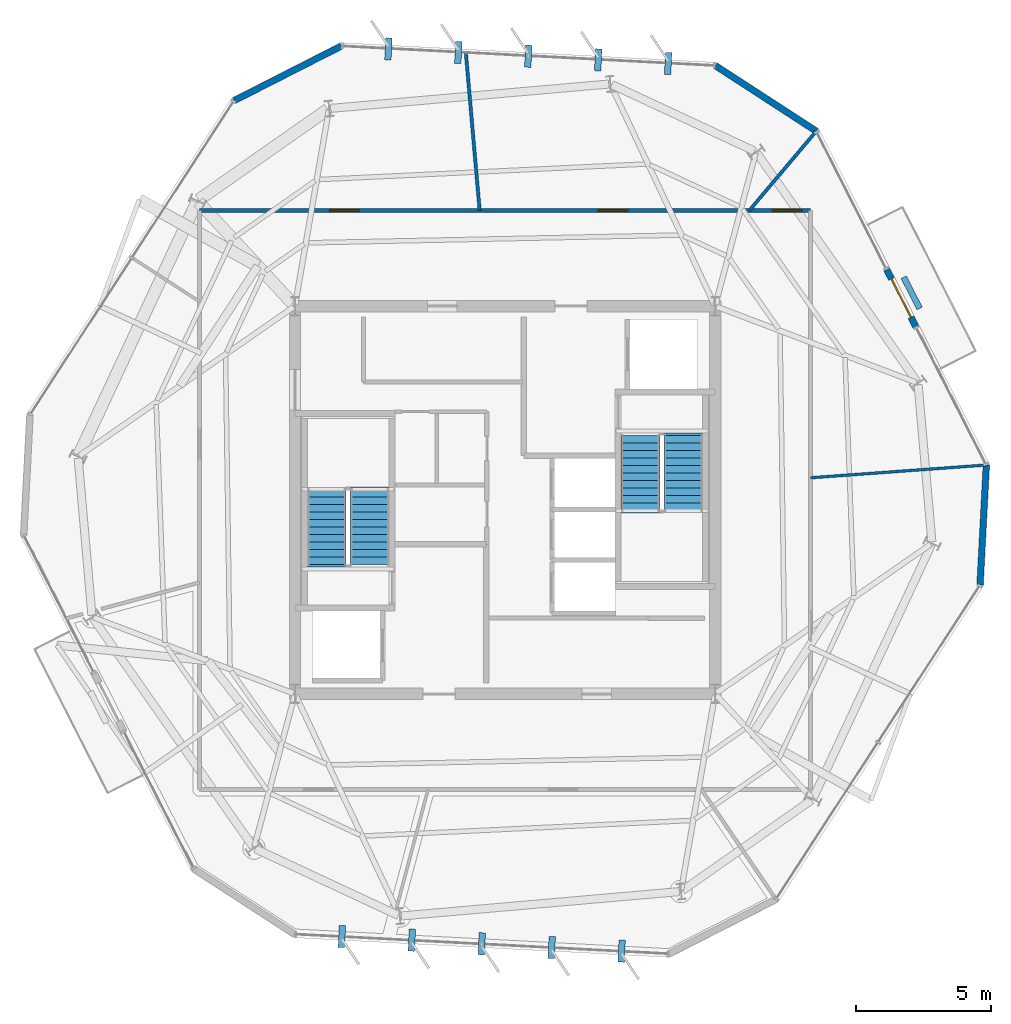
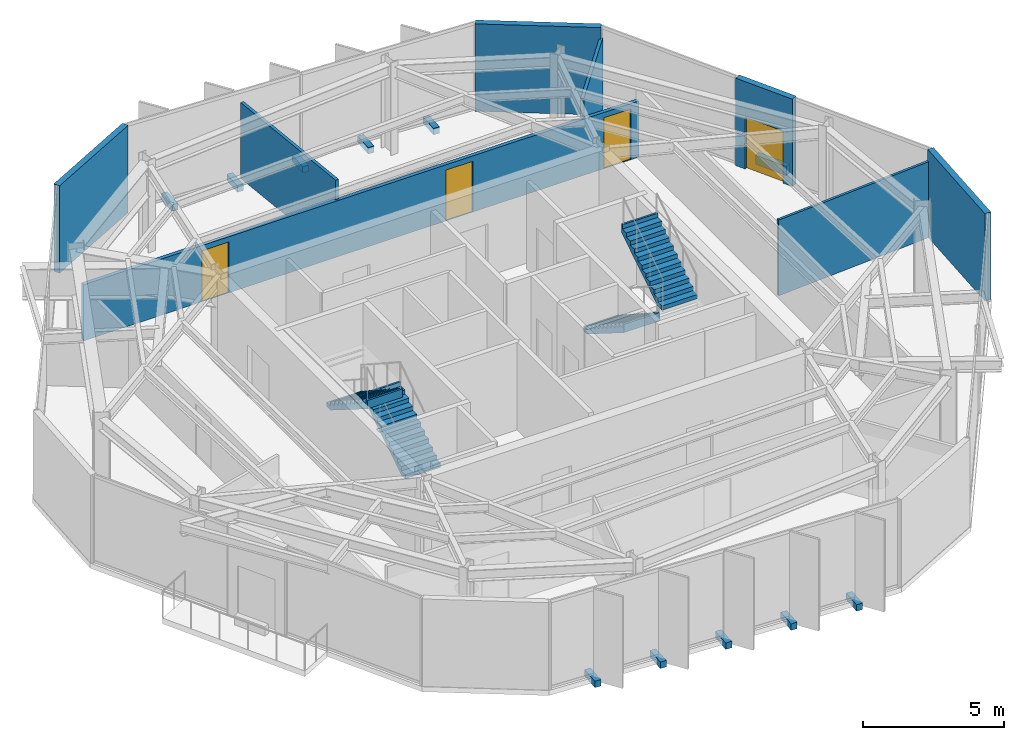
# One storey, part 9 of 11: 10 discrete accessories, 9 walls, 4 doors, 4 stair flights, 4 openings, 2 elements without a shape of their own.
"""IFC4 building model written with IfcOpenShell, lengths in metres."""

import ifcopenshell
import ifcopenshell.guid

model = None  # the IFC model being written
_history = None  # IfcOwnerHistory: only IFC2X3 demands one
_inside = {}  # id of a spatial element -> (the spatial element, [elements in it])
_under = {}  # id of a project, library or spatial element -> (it, [spatial elements below it])
_declared = {}  # id of a project -> (the project, [libraries it declares])
_typed = {}  # id of a type object -> (the type object, [elements of that type])
_made_of = {}  # id of a material, layer set ... -> (it, [elements and type objects made of it])


def new_model(schema):
    """Start an empty IFC model of exactly this schema.

    Asked for "IFC4X3", IfcOpenShell would pick the latest addendum, in which some entities
    have other attributes; the version numbers below select the first issue.
    IFC2X3 requires an IfcOwnerHistory on every rooted entity: one is made here for all.
    """
    global model, _history
    if schema == "IFC4X3":
        model = ifcopenshell.file(schema_version=(4, 3, 0, 0))
    else:
        model = ifcopenshell.file(schema=schema)
    _inside.clear()
    _under.clear()
    _declared.clear()
    _typed.clear()
    _made_of.clear()
    _history = None
    if model.schema == "IFC2X3":
        org = make("IfcOrganization", Name="unknown")
        user = make(
            "IfcPersonAndOrganization",
            ThePerson=make("IfcPerson", FamilyName="unknown"),
            TheOrganization=org,
        )
        app = make(
            "IfcApplication",
            ApplicationDeveloper=org,
            Version="unknown",
            ApplicationFullName="unknown",
            ApplicationIdentifier="unknown",
        )
        _history = make(
            "IfcOwnerHistory",
            OwningUser=user,
            OwningApplication=app,
            ChangeAction="ADDED",
            CreationDate=0,
        )
    return model


def make(cls, **values):
    """One entity of the class cls with the attributes given. An attribute that is None is left unset."""
    return model.create_entity(
        cls, **{name: value for name, value in values.items() if value is not None}
    )


def rooted(cls, **values):
    """An entity with a GlobalId (a new one), such as an element, a storey or a relation."""
    return make(cls, GlobalId=ifcopenshell.guid.new(), OwnerHistory=_history, **values)


def si_unit(unit_type, name, prefix=None):
    """IfcSIUnit, for example si_unit("LENGTHUNIT", "METRE", prefix="MILLI")."""
    return make("IfcSIUnit", UnitType=unit_type, Prefix=prefix, Name=name)


def assignment(units):
    """IfcUnitAssignment: the units of a project."""
    return None if units is None else make("IfcUnitAssignment", Units=units)


def point(xyz):
    """IfcCartesianPoint."""
    return None if xyz is None else make("IfcCartesianPoint", Coordinates=xyz)


def direction(xyz):
    """IfcDirection."""
    return None if xyz is None else make("IfcDirection", DirectionRatios=xyz)


def frame(location, z_axis=None, x_axis=None):
    """IfcAxis2Placement3D, a coordinate frame: its origin and axes. An axis left out is left unset."""
    return make(
        "IfcAxis2Placement3D",
        Location=point(location),
        Axis=direction(z_axis),
        RefDirection=direction(x_axis),
    )


def frame_2d(location, x_axis=None):
    """IfcAxis2Placement2D, a coordinate frame in the plane: its origin and x axis."""
    return make(
        "IfcAxis2Placement2D", Location=point(location), RefDirection=direction(x_axis)
    )


def origin():
    """The frame at (0, 0, 0) with its axes left unset."""
    return frame((0.0, 0.0, 0.0))


def origin_2d():
    """The frame at (0, 0) in the plane with its x axis left unset."""
    return frame_2d((0.0, 0.0))


def place(relative_to, where):
    """IfcLocalPlacement: puts the frame where relative to a parent placement (None: the world)."""
    return make(
        "IfcLocalPlacement", PlacementRelTo=relative_to, RelativePlacement=where
    )


def context(
    kind, dimensions, precision=None, world=None, true_north=None, identifier=None
):
    """IfcGeometricRepresentationContext, for example the 3D "Model" context."""
    return make(
        "IfcGeometricRepresentationContext",
        ContextIdentifier=identifier,
        ContextType=kind,
        CoordinateSpaceDimension=dimensions,
        Precision=precision,
        WorldCoordinateSystem=world,
        TrueNorth=true_north,
    )


def subcontext(parent, identifier, kind, view, scale=None):
    """IfcGeometricRepresentationSubContext, for example "Body" below "Model"."""
    return make(
        "IfcGeometricRepresentationSubContext",
        ContextIdentifier=identifier,
        ContextType=kind,
        ParentContext=parent,
        TargetScale=scale,
        TargetView=view,
    )


def project(units=None, contexts=None):
    """IfcProject with its units and contexts."""
    return rooted(
        "IfcProject",
        Name="project",
        RepresentationContexts=contexts,
        UnitsInContext=assignment(units),
    )


def spatial(cls, under=None, at=None, **own):
    """A site, building, storey or space (cls), placed at a placement, below another one or the project."""
    s = rooted(cls, ObjectPlacement=at, **own)
    if under is not None:
        _under.setdefault(under.id(), (under, []))[1].append(s)
    return s


def polyline(points):
    """IfcPolyline through the points."""
    return make("IfcPolyline", Points=[point(p) for p in points])


def profile(cls, at=None, kind="AREA", **sizes):
    """A parametric profile (cls). Its sizes go by their IFC names, for example OverallWidth=200.0."""
    return make(cls, ProfileType=kind, Position=at, **sizes)


def rectangle(**sizes):
    """IfcRectangleProfileDef."""
    return profile("IfcRectangleProfileDef", **sizes)


def outline(outer, holes=None, kind="AREA"):
    """IfcArbitraryClosedProfileDef: a profile drawn as a closed curve; with holes, ...WithVoids."""
    if holes is None:
        return make("IfcArbitraryClosedProfileDef", ProfileType=kind, OuterCurve=outer)
    return make(
        "IfcArbitraryProfileDefWithVoids",
        ProfileType=kind,
        OuterCurve=outer,
        InnerCurves=holes,
    )


def extrude(swept, where, along, depth):
    """IfcExtrudedAreaSolid: the profile swept, set in the frame where, extruded along a direction by depth."""
    return make(
        "IfcExtrudedAreaSolid",
        SweptArea=swept,
        Position=where,
        ExtrudedDirection=direction(along),
        Depth=depth,
    )


def shape(context_of_items, identifier, shape_type, items):
    """IfcShapeRepresentation: the items that make up one representation, for example the "Body"."""
    return make(
        "IfcShapeRepresentation",
        ContextOfItems=context_of_items,
        RepresentationIdentifier=identifier,
        RepresentationType=shape_type,
        Items=items,
    )


def material(Name=None, Category=None):
    """IfcMaterial."""
    return make("IfcMaterial", Name=Name, Category=Category)


def layer(
    of_material, thickness, ventilated=None, Name=None, Category=None, Priority=None
):
    """IfcMaterialLayer: one layer of a wall or slab, of a material (None: an air gap)."""
    return make(
        "IfcMaterialLayer",
        Material=of_material,
        LayerThickness=thickness,
        IsVentilated=ventilated,
        Name=Name,
        Category=Category,
        Priority=Priority,
    )


def layer_set(layers, Name=None):
    """IfcMaterialLayerSet."""
    return make("IfcMaterialLayerSet", MaterialLayers=layers, LayerSetName=Name)


def made_of(thing, what):
    """Note that an element or type object is made of a material, layer set ...; save() writes the relation."""
    if what is not None:
        _made_of.setdefault(what.id(), (what, []))[1].append(thing)
    return thing


def type_object(cls, material=None, **own):
    """A type object (cls), such as IfcWallType, which elements share."""
    return made_of(rooted(cls, **own), material)


def element(
    cls,
    number,
    at=None,
    inside=None,
    cuts=None,
    type_object=None,
    material=None,
    context=None,
    identifier="Body",
    shape_type=None,
    held_by="IfcProductDefinitionShape",
    body=None,
    shapes=None,
    **own,
):
    """One element of the class cls, such as IfcWall. Its Tag is "e" and its number.

    at: its placement. inside: the storey or other place that contains it. cuts: it is an
    opening in that element (IfcRelVoidsElement). A single representation is given by context,
    identifier, shape_type and body (its items); several are given by shapes. held_by: the class
    of the entity that holds the representations. save() writes the other relations.
    """
    e = rooted(cls, Tag="e%d" % number, ObjectPlacement=at, **own)
    if body is not None:
        shapes = [shape(context, identifier, shape_type, body)]
    if shapes is not None:
        e.Representation = make(held_by, Representations=shapes)
    if inside is not None:
        _inside.setdefault(inside.id(), (inside, []))[1].append(e)
    if cuts is not None:
        rooted(
            "IfcRelVoidsElement", RelatingBuildingElement=cuts, RelatedOpeningElement=e
        )
    if type_object is not None:
        _typed.setdefault(type_object.id(), (type_object, []))[1].append(e)
    return made_of(e, material)


def fill(opening, filler):
    """IfcRelFillsElement: the door or window that sits in an opening."""
    return rooted(
        "IfcRelFillsElement",
        RelatingOpeningElement=opening,
        RelatedBuildingElement=filler,
    )


def aggregate(whole, parts):
    """IfcRelAggregates: a whole, such as a stair, and the parts it consists of."""
    return rooted("IfcRelAggregates", RelatingObject=whole, RelatedObjects=parts)


def save(model, path):
    """Write the relations noted so far, then the file.

    IfcRelAggregates (storeys below a building ...), IfcRelContainedInSpatialStructure (elements
    in a storey), IfcRelDefinesByType, IfcRelAssociatesMaterial and IfcRelDeclares: one each for
    every whole, place, type object, material and project.
    """
    for whole, parts in _under.values():
        aggregate(whole, parts)
    for where, things in _inside.values():
        rooted(
            "IfcRelContainedInSpatialStructure",
            RelatedElements=things,
            RelatingStructure=where,
        )
    for kind, things in _typed.values():
        rooted("IfcRelDefinesByType", RelatedObjects=things, RelatingType=kind)
    for what, things in _made_of.values():
        rooted("IfcRelAssociatesMaterial", RelatedObjects=things, RelatingMaterial=what)
    for by, libraries in _declared.values():
        rooted("IfcRelDeclares", RelatingContext=by, RelatedDefinitions=libraries)
    model.write(path)


model = new_model("IFC4")

# Units and contexts
model_context = context("Model", 3, precision=1e-05, world=origin(), true_north=direction((0.0, 1.0)))
body_context = subcontext(model_context, "Body", "Model", "MODEL_VIEW")
ifc_project = project(units=[si_unit("LENGTHUNIT", "METRE"), si_unit("AREAUNIT", "SQUARE_METRE"), si_unit("VOLUMEUNIT", "CUBIC_METRE"), si_unit("PLANEANGLEUNIT", "RADIAN"), si_unit("MASSUNIT", "GRAM", prefix="KILO")], contexts=[model_context])

# Site, building, storey
site_placement = place(None, origin())
site = spatial("IfcSite", under=ifc_project, at=site_placement, CompositionType="ELEMENT")
building_placement = place(site_placement, origin())
building = spatial("IfcBuilding", under=site, at=building_placement, Name="Kranzbogen Civic Tower", CompositionType="ELEMENT")
storey_placement = place(building_placement, frame((0.0, 0.0, 254.199951171875)))
storey = spatial("IfcBuildingStorey", under=building, at=storey_placement, Name="L61", CompositionType="ELEMENT", Elevation=254.199951171875)

# Wall, openings, doors
ifc_material_1 = material(Name="Double-Stud Acoustic Gypsum Partition")
ifc_layer_1 = layer(ifc_material_1, 0.14990234375, Name="Double-Stud Acoustic Gypsum Partition")
ifc_layer_set_1 = layer_set([ifc_layer_1], Name="Double-Stud Acoustic Gypsum Partition")
wall_type_1 = type_object("IfcWallType", Name="Acoustic Corridor and Clinical Partition 150 mm", PredefinedType="PARTITIONING", material=ifc_layer_set_1)
wall_1_placement = place(storey_placement, frame((13.64990234375, 35.75, 0.0), z_axis=(0.0, 0.0, 1.0), x_axis=(1.0, 0.0, 0.0)))
wall_1 = element("IfcWall", 1, at=wall_1_placement, inside=storey, type_object=wall_type_1, Name="L61 corridor partition 01", PredefinedType="PARTITIONING", context=body_context, shape_type="SweptSolid", body=[
    extrude(rectangle(XDim=22.7001953125, YDim=0.14990234375, at=frame_2d((11.35009765625, 0.0))), origin(), (0.0, 0.0, 1.0), 2.429931640625),
])
opening_1_placement = place(wall_1_placement, frame((21.27587890625, 0.0, 0.0)))
opening_1 = element("IfcOpeningElement", 2, at=opening_1_placement, cuts=wall_1, Name="Opening D-COR60", PredefinedType="OPENING", context=body_context, shape_type="SweptSolid", body=[
    extrude(rectangle(XDim=1.10009765625, YDim=2.199951171875, at=frame_2d((0.550048828125, 1.10009765625))), frame((0.0, 0.0849609375, 0.0), z_axis=(0.0, -1.0, 0.0), x_axis=(1.0, 0.0, 0.0)), (0.0, 0.0, 1.0), 0.169921875),
])
opening_2_placement = place(wall_1_placement, frame((14.81005859375, 0.0, 0.0)))
opening_2 = element("IfcOpeningElement", 3, at=opening_2_placement, cuts=wall_1, Name="Opening D-COR60", PredefinedType="OPENING", context=body_context, shape_type="SweptSolid", body=[
    extrude(rectangle(XDim=1.10009765625, YDim=2.199951171875, at=frame_2d((0.550048828125, 1.10009765625))), frame((0.0, 0.0849609375, 0.0), z_axis=(0.0, -1.0, 0.0), x_axis=(1.0, 0.0, 0.0)), (0.0, 0.0, 1.0), 0.169921875),
])
opening_3_placement = place(wall_1_placement, frame((4.8349609375, 0.0, 0.0)))
opening_3 = element("IfcOpeningElement", 4, at=opening_3_placement, cuts=wall_1, Name="Opening D-COR60", PredefinedType="OPENING", context=body_context, shape_type="SweptSolid", body=[
    extrude(rectangle(XDim=1.10009765625, YDim=2.199951171875, at=frame_2d((0.550048828125, 1.10009765625))), frame((0.0, 0.0849609375, 0.0), z_axis=(0.0, -1.0, 0.0), x_axis=(1.0, 0.0, 0.0)), (0.0, 0.0, 1.0), 0.169921875),
])
ifc_material_2 = material(Name="Oak Timber and Fire Core", Category="wood")
door_type_1 = type_object("IfcDoorType", Name="Corridor Acoustic Fire Door 1100x2200", OperationType="NOTDEFINED", PredefinedType="DOOR", material=ifc_material_2)
door_1_placement = place(opening_1_placement, origin())
door_1 = element("IfcDoor", 5, at=door_1_placement, inside=storey, type_object=door_type_1, Name="L61 Staff Tea Pantry door", OperationType="SINGLE_SWING_LEFT", OverallHeight=2.199951171875, OverallWidth=1.10009765625, PredefinedType="DOOR", context=body_context, shape_type="SweptSolid", body=[
    extrude(rectangle(XDim=1.10009765625, YDim=2.199951171875, at=frame_2d((0.550048828125, 1.10009765625))), frame((0.0, 0.02490234375, 0.0), z_axis=(0.0, -1.0, 0.0), x_axis=(1.0, 0.0, 0.0)), (0.0, 0.0, 1.0), 0.050048828125),
])
fill(opening_1, door_1)
door_2_placement = place(opening_2_placement, origin())
door_2 = element("IfcDoor", 6, at=door_2_placement, inside=storey, type_object=door_type_1, Name="L61 Hospitality Catering Kitchen door", OperationType="SINGLE_SWING_RIGHT", OverallHeight=2.199951171875, OverallWidth=1.10009765625, PredefinedType="DOOR", context=body_context, shape_type="SweptSolid", body=[
    extrude(rectangle(XDim=1.10009765625, YDim=2.199951171875, at=frame_2d((0.550048828125, 1.10009765625))), frame((0.0, 0.02490234375, 0.0), z_axis=(0.0, -1.0, 0.0), x_axis=(1.0, 0.0, 0.0)), (0.0, 0.0, 1.0), 0.050048828125),
])
fill(opening_2, door_2)
door_3_placement = place(opening_3_placement, origin())
door_3 = element("IfcDoor", 7, at=door_3_placement, inside=storey, type_object=door_type_1, Name="L61 Refreshment Galley Pantry door", OperationType="SINGLE_SWING_LEFT", OverallHeight=2.199951171875, OverallWidth=1.10009765625, PredefinedType="DOOR", context=body_context, shape_type="SweptSolid", body=[
    extrude(rectangle(XDim=1.10009765625, YDim=2.199951171875, at=frame_2d((0.550048828125, 1.10009765625))), frame((0.0, 0.02490234375, 0.0), z_axis=(0.0, -1.0, 0.0), x_axis=(1.0, 0.0, 0.0)), (0.0, 0.0, 1.0), 0.050048828125),
])
fill(opening_3, door_3)

# Walls
ifc_material_3 = material(Name="Insulated Metal-Stud Gypsum Partition")
ifc_layer_2 = layer(ifc_material_3, 0.125, Name="Insulated Metal-Stud Gypsum Partition")
ifc_layer_set_2 = layer_set([ifc_layer_2], Name="Insulated Metal-Stud Gypsum Partition")
wall_type_2 = type_object("IfcWallType", Name="Acoustic Inter-Room Partition 125 mm", PredefinedType="PARTITIONING", material=ifc_layer_set_2)
wall_2_placement = place(storey_placement, frame((24.05810546875, 35.75, 0.0), z_axis=(0.0, 0.0, 1.0), x_axis=(-0.087283069054, 0.996183550284, 0.0)))
element("IfcWall", 8, at=wall_2_placement, inside=storey, type_object=wall_type_2, Name="L61 radial room partition 01", PredefinedType="PARTITIONING", context=body_context, shape_type="SweptSolid", body=[
    extrude(rectangle(XDim=5.868408203125, YDim=0.125, at=frame_2d((2.93408203125, 0.0))), origin(), (0.0, 0.0, 1.0), 3.280029296875),
])
wall_3_placement = place(storey_placement, frame((34.071044921875, 35.75, 0.0), z_axis=(0.0, 0.0, 1.0), x_axis=(0.644862803999, 0.764298347518, 0.0)))
element("IfcWall", 9, at=wall_3_placement, inside=storey, type_object=wall_type_2, Name="L61 radial room partition 07", PredefinedType="PARTITIONING", context=body_context, shape_type="SweptSolid", body=[
    extrude(rectangle(XDim=3.834716796875, YDim=0.125, at=frame_2d((1.91748046875, 0.0))), origin(), (0.0, 0.0, 1.0), 3.280029296875),
])
ifc_material_4 = material(Name="Architectural Precast Terracotta Concrete C40/50", Category="masonry")
ifc_layer_3 = layer(ifc_material_4, 0.219970703125, Name="Architectural Precast Terracotta Concrete C40/50")
ifc_layer_set_3 = layer_set([ifc_layer_3], Name="Architectural Precast Terracotta Concrete C40/50")
wall_type_3 = type_object("IfcWallType", Name="Architectural Tree Planter Kerb Wall 220 mm", PredefinedType="USERDEFINED", material=ifc_layer_set_3)
wall_4_placement = place(storey_placement, frame((40.39404296875, 32.114013671875, 0.0), z_axis=(0.0, 0.0, 1.0), x_axis=(-0.454038340343, 0.890982146565, 0.0)))
element("IfcWall", 10, at=wall_4_placement, inside=storey, type_object=wall_type_3, Name="L61 landscaped tree balcony planter L61-TB2", ObjectType="PLANTER_WALL", PredefinedType="USERDEFINED", context=body_context, shape_type="SweptSolid", body=[
    extrude(rectangle(XDim=1.299560546875, YDim=0.219970703125, at=frame_2d((0.64990234375, 0.0))), origin(), (0.0, 0.0, 1.0), 0.400146484375),
])
ifc_material_5 = material(Name="Demountable Aluminium and Gypsum Partition", Category="aluminium")
ifc_layer_4 = layer(ifc_material_5, 0.10009765625, Name="Demountable Aluminium and Gypsum Partition")
ifc_layer_set_4 = layer_set([ifc_layer_4], Name="Demountable Aluminium and Gypsum Partition")
wall_type_4 = type_object("IfcWallType", Name="Demountable Office Partition 100 mm", PredefinedType="MOVABLE", material=ifc_layer_set_4)
wall_5_placement = place(storey_placement, frame((36.35009765625, 25.824951171875, 0.0), z_axis=(0.0, 0.0, 1.0), x_axis=(0.997363550858, 0.072566847934, 0.0)))
element("IfcWall", 11, at=wall_5_placement, inside=storey, type_object=wall_type_4, Name="L61 radial room partition 06", PredefinedType="MOVABLE", context=body_context, shape_type="SweptSolid", body=[
    extrude(rectangle(XDim=6.52001953125, YDim=0.10009765625, at=frame_2d((3.260009765625, 0.0))), origin(), (0.0, 0.0, 1.0), 3.280029296875),
])
ifc_material_6 = material(Name="Pale Anodised Aluminium", Category="aluminium")
ifc_layer_5 = layer(ifc_material_6, 0.239990234375, Name="Pale Anodised Aluminium")
ifc_layer_set_5 = layer_set([ifc_layer_5], Name="Pale Anodised Aluminium")
wall_type_5 = type_object("IfcWallType", Name="Insulated Aluminium Facade Portal Wall 240 mm", PredefinedType="STANDARD", material=ifc_layer_set_5)
wall_6_placement = place(storey_placement, frame((18.9189453125, 41.85400390625, 0.0), z_axis=(0.0, 0.0, 1.0), x_axis=(-0.891034072926, -0.453936428243, 0.0)))
element("IfcWall", 12, at=wall_6_placement, inside=storey, type_object=wall_type_5, Name="L61 chamfered corner facade spandrel 1", PredefinedType="STANDARD", context=body_context, shape_type="SweptSolid", body=[
    extrude(rectangle(XDim=4.465576171875, YDim=0.239990234375, at=frame_2d((2.23291015625, 0.0))), origin(), (0.0, 0.0, 1.0), 3.780029296875),
])
wall_7_placement = place(storey_placement, frame((42.636962890625, 21.840087890625, 0.0), z_axis=(0.0, 0.0, 1.0), x_axis=(0.052217320226, 0.998635745139, 0.0)))
element("IfcWall", 13, at=wall_7_placement, inside=storey, type_object=wall_type_5, Name="L61 chamfered corner facade spandrel 5", PredefinedType="STANDARD", context=body_context, shape_type="SweptSolid", body=[
    extrude(rectangle(XDim=4.465087890625, YDim=0.239990234375, at=frame_2d((2.232421875, 0.0))), origin(), (0.0, 0.0, 1.0), 3.780029296875),
])

# Wall, opening, door
wall_8_placement = place(storey_placement, frame((40.257080078125, 31.427001953125, 0.0), z_axis=(0.0, 0.0, 1.0), x_axis=(-0.453916635775, 0.891044155902, 0.0)))
wall_8 = element("IfcWall", 14, at=wall_8_placement, inside=storey, type_object=wall_type_5, Name="L61 exterior entrance portal wall 1", PredefinedType="STANDARD", context=body_context, shape_type="SweptSolid", body=[
    extrude(rectangle(XDim=2.3994140625, YDim=0.239990234375, at=frame_2d((1.19970703125, 0.0))), origin(), (0.0, 0.0, 1.0), 3.780029296875),
])
opening_4_placement = place(wall_8_placement, frame((0.39990234375, 0.0, 0.0)))
opening_4 = element("IfcOpeningElement", 15, at=opening_4_placement, cuts=wall_8, Name="Opening D-TER", PredefinedType="OPENING", context=body_context, shape_type="SweptSolid", body=[
    extrude(rectangle(XDim=1.60009765625, YDim=2.25, at=frame_2d((0.800048828125, 1.125))), frame((0.0, 0.1298828125, 0.0), z_axis=(0.0, -1.0, 0.0), x_axis=(1.0, 0.0, 0.0)), (0.0, 0.0, 1.0), 0.260009765625),
])
ifc_material_7 = material(Name="Anodised Bronze and Triple Glass", Category="glass")
door_type_2 = type_object("IfcDoorType", Name="Glazed Terrace and Balcony Double Door 1600x2250", OperationType="DOUBLE_DOOR_SINGLE_SWING", PredefinedType="DOOR", material=ifc_material_7)
door_4_placement = place(opening_4_placement, frame((1.60009765625, 0.0, 0.0), z_axis=(0.0, 0.0, 1.0), x_axis=(-1.0, 0.0, 0.0)))
door_4 = element("IfcDoor", 16, at=door_4_placement, inside=storey, type_object=door_type_2, Name="L61 tree balcony access door L61-TB2", OperationType="DOUBLE_DOOR_SINGLE_SWING", OverallHeight=2.25, OverallWidth=1.60009765625, PredefinedType="DOOR", context=body_context, shape_type="SweptSolid", body=[
    extrude(rectangle(XDim=1.60009765625, YDim=2.25, at=frame_2d((0.800048828125, 1.125))), frame((0.0, 0.02490234375, 0.0), z_axis=(0.0, -1.0, 0.0), x_axis=(1.0, 0.0, 0.0)), (0.0, 0.0, 1.0), 0.050048828125),
])
fill(opening_4, door_4)

# Wall
wall_9_placement = place(storey_placement, frame((36.554931640625, 38.694091796875, 0.0), z_axis=(0.0, 0.0, 1.0), x_axis=(-0.838677137994, 0.544628917893, 0.0)))
element("IfcWall", 17, at=wall_9_placement, inside=storey, type_object=wall_type_5, Name="L61 chamfered corner facade spandrel 6", PredefinedType="STANDARD", context=body_context, shape_type="SweptSolid", body=[
    extrude(rectangle(XDim=4.46533203125, YDim=0.239990234375, at=frame_2d((2.232666015625, 0.0))), origin(), (0.0, 0.0, 1.0), 3.780029296875),
])

# Stair, stair flights
ifc_material_8 = material(Name="Precast concrete C40/50", Category="concrete")
stair_type_1 = type_object("IfcStairType", Name="Tower Core Pressurized Dogleg Stair 1450", PredefinedType="HALF_TURN_STAIR", material=ifc_material_8)
stair_1_placement = place(storey_placement, origin())
stair_1 = element("IfcStair", 18, at=stair_1_placement, inside=storey, type_object=stair_type_1, Name="L61 Tower Core Pressurized Stair 1", PredefinedType="HALF_TURN_STAIR")
stair_flight_type = type_object("IfcStairFlightType", Name="Precast Concrete Stair Flight R180", PredefinedType="STRAIGHT", material=ifc_material_8)
stair_flight_1_placement = place(storey_placement, frame((19.97509765625, 22.60009765625, 0.0), z_axis=(0.0, 0.0, 1.0), x_axis=(0.0, 1.0, 0.0)))
stair_flight_1 = element("IfcStairFlight", 19, at=stair_flight_1_placement, type_object=stair_flight_type, Name="ST-T1 flight 1", NumberOfRisers=11, NumberOfTreads=10, PredefinedType="STRAIGHT", RiserHeight=0.181818182, TreadLength=0.28, context=body_context, shape_type="SweptSolid", body=[
    extrude(outline(polyline([(0.0, 0.0), (0.0, 0.181884765625), (0.280029296875, 0.181884765625), (0.280029296875, 0.363525390625), (0.56005859375, 0.363525390625), (0.56005859375, 0.54541015625), (0.840087890625, 0.54541015625), (0.840087890625, 0.727294921875), (1.1201171875, 0.727294921875), (1.1201171875, 0.9091796875), (1.39990234375, 0.9091796875), (1.39990234375, 1.0908203125), (1.679931640625, 1.0908203125), (1.679931640625, 1.272705078125), (1.9599609375, 1.272705078125), (1.9599609375, 1.45458984375), (2.239990234375, 1.45458984375), (2.239990234375, 1.636474609375), (2.52001953125, 1.636474609375), (2.52001953125, 1.818115234375), (2.800048828125, 1.818115234375), (2.800048828125, 2.0), (2.880126953125, 2.0), (2.880126953125, 1.639404296875), (0.275146484375, 0.0), (0.0, 0.0)])), frame((0.0, 0.72509765625, 0.0), z_axis=(0.0, -1.0, 0.0), x_axis=(1.0, 0.0, 0.0)), (0.0, 0.0, 1.0), 1.449951171875),
])
stair_flight_2_placement = place(storey_placement, frame((18.375, 25.39990234375, 2.0), z_axis=(0.0, 0.0, 1.0), x_axis=(0.0, -1.0, 0.0)))
stair_flight_2 = element("IfcStairFlight", 20, at=stair_flight_2_placement, type_object=stair_flight_type, Name="ST-T1 flight 2", NumberOfRisers=11, NumberOfTreads=10, PredefinedType="STRAIGHT", RiserHeight=0.181818182, TreadLength=0.28, context=body_context, shape_type="SweptSolid", body=[
    extrude(outline(polyline([(0.0, 0.0), (0.0, 0.181884765625), (0.280029296875, 0.181884765625), (0.280029296875, 0.363525390625), (0.56005859375, 0.363525390625), (0.56005859375, 0.54541015625), (0.840087890625, 0.54541015625), (0.840087890625, 0.727294921875), (1.1201171875, 0.727294921875), (1.1201171875, 0.9091796875), (1.39990234375, 0.9091796875), (1.39990234375, 1.0908203125), (1.679931640625, 1.0908203125), (1.679931640625, 1.272705078125), (1.9599609375, 1.272705078125), (1.9599609375, 1.45458984375), (2.239990234375, 1.45458984375), (2.239990234375, 1.636474609375), (2.52001953125, 1.636474609375), (2.52001953125, 1.818115234375), (2.800048828125, 1.818115234375), (2.800048828125, 2.0), (2.880126953125, 2.0), (2.880126953125, 1.639404296875), (0.275146484375, 0.0), (0.0, 0.0)])), frame((0.0, 0.72509765625, 0.0), z_axis=(0.0, -1.0, 0.0), x_axis=(1.0, 0.0, 0.0)), (0.0, 0.0, 1.0), 1.449951171875),
])
aggregate(stair_1, [stair_flight_1, stair_flight_2])

stair_type_2 = type_object("IfcStairType", Name="Tower Core Secondary Dogleg Stair 1450", PredefinedType="HALF_TURN_STAIR", material=ifc_material_8)
stair_2_placement = place(storey_placement, origin())
stair_2 = element("IfcStair", 21, at=stair_2_placement, inside=storey, type_object=stair_type_2, Name="L61 Tower Core Pressurized Stair 2", PredefinedType="HALF_TURN_STAIR")
stair_flight_3_placement = place(storey_placement, frame((30.02490234375, 27.39990234375, 0.0), z_axis=(0.0, 0.0, 1.0), x_axis=(0.0, -1.0, 0.0)))
stair_flight_3 = element("IfcStairFlight", 22, at=stair_flight_3_placement, type_object=stair_flight_type, Name="ST-T2 flight 1", NumberOfRisers=11, NumberOfTreads=10, PredefinedType="STRAIGHT", RiserHeight=0.181818182, TreadLength=0.28, context=body_context, shape_type="SweptSolid", body=[
    extrude(outline(polyline([(0.0, 0.0), (0.0, 0.181884765625), (0.280029296875, 0.181884765625), (0.280029296875, 0.363525390625), (0.56005859375, 0.363525390625), (0.56005859375, 0.54541015625), (0.840087890625, 0.54541015625), (0.840087890625, 0.727294921875), (1.1201171875, 0.727294921875), (1.1201171875, 0.9091796875), (1.39990234375, 0.9091796875), (1.39990234375, 1.0908203125), (1.679931640625, 1.0908203125), (1.679931640625, 1.272705078125), (1.9599609375, 1.272705078125), (1.9599609375, 1.45458984375), (2.239990234375, 1.45458984375), (2.239990234375, 1.636474609375), (2.52001953125, 1.636474609375), (2.52001953125, 1.818115234375), (2.800048828125, 1.818115234375), (2.800048828125, 2.0), (2.880126953125, 2.0), (2.880126953125, 1.639404296875), (0.275146484375, 0.0), (0.0, 0.0)])), frame((0.0, 0.72509765625, 0.0), z_axis=(0.0, -1.0, 0.0), x_axis=(1.0, 0.0, 0.0)), (0.0, 0.0, 1.0), 1.449951171875),
])
stair_flight_4_placement = place(storey_placement, frame((31.625, 24.60009765625, 2.0), z_axis=(0.0, 0.0, 1.0), x_axis=(0.0, 1.0, 0.0)))
stair_flight_4 = element("IfcStairFlight", 23, at=stair_flight_4_placement, type_object=stair_flight_type, Name="ST-T2 flight 2", NumberOfRisers=11, NumberOfTreads=10, PredefinedType="STRAIGHT", RiserHeight=0.181818182, TreadLength=0.28, context=body_context, shape_type="SweptSolid", body=[
    extrude(outline(polyline([(0.0, 0.0), (0.0, 0.181884765625), (0.280029296875, 0.181884765625), (0.280029296875, 0.363525390625), (0.56005859375, 0.363525390625), (0.56005859375, 0.54541015625), (0.840087890625, 0.54541015625), (0.840087890625, 0.727294921875), (1.1201171875, 0.727294921875), (1.1201171875, 0.9091796875), (1.39990234375, 0.9091796875), (1.39990234375, 1.0908203125), (1.679931640625, 1.0908203125), (1.679931640625, 1.272705078125), (1.9599609375, 1.272705078125), (1.9599609375, 1.45458984375), (2.239990234375, 1.45458984375), (2.239990234375, 1.636474609375), (2.52001953125, 1.636474609375), (2.52001953125, 1.818115234375), (2.800048828125, 1.818115234375), (2.800048828125, 2.0), (2.880126953125, 2.0), (2.880126953125, 1.639404296875), (0.275146484375, 0.0), (0.0, 0.0)])), frame((0.0, 0.72509765625, 0.0), z_axis=(0.0, -1.0, 0.0), x_axis=(1.0, 0.0, 0.0)), (0.0, 0.0, 1.0), 1.449951171875),
])
aggregate(stair_2, [stair_flight_3, stair_flight_4])

# Discrete accessories
ifc_material_9 = material(Name="Steel S355", Category="steel")
discrete_accessory_type = type_object("IfcDiscreteAccessoryType", Name="Structural Curtain-Wall Fin Support Bracket", PredefinedType="BRACKET", material=ifc_material_9)
for number, where, z_axis, x_axis, name in (
    (24, (31.056884765625, 41.20703125, -0.25), (0.0, 0.0, 1.0), (0.052335956243, 0.998629534755, 0.0), "L61 facade fin support bracket F1-1"),
    (25, (28.4599609375, 41.343017578125, -0.25), (0.0, 0.0, 1.0), (0.052335956243, 0.998629534755, 0.0), "L61 facade fin support bracket F1-2"),
    (26, (25.864013671875, 41.47900390625, -0.25), (0.0, 0.0, 1.0), (0.052335956243, 0.998629534755, 0.0), "L61 facade fin support bracket F1-3"),
    (27, (23.26708984375, 41.614990234375, -0.25), (0.0, 0.0, 1.0), (0.052335956243, 0.998629534755, 0.0), "L61 facade fin support bracket F1-4"),
    (28, (20.6708984375, 41.7509765625, -0.25), (0.0, 0.0, 1.0), (0.052335956243, 0.998629534755, 0.0), "L61 facade fin support bracket F1-5"),
    (29, (18.943115234375, 8.79296875, -0.25), (0.0, 0.0, 1.0), (-0.052335956243, -0.998629534755, 0.0), "L61 facade fin support bracket F4-1"),
    (30, (21.5400390625, 8.656982421875, -0.25), (0.0, 0.0, 1.0), (-0.052335956243, -0.998629534755, 0.0), "L61 facade fin support bracket F4-2"),
    (31, (24.135986328125, 8.52099609375, -0.25), (0.0, 0.0, 1.0), (-0.052335956243, -0.998629534755, 0.0), "L61 facade fin support bracket F4-3"),
    (32, (26.73291015625, 8.385009765625, -0.25), (0.0, 0.0, 1.0), (-0.052335956243, -0.998629534755, 0.0), "L61 facade fin support bracket F4-4"),
    (33, (29.3291015625, 8.2490234375, -0.25), (0.0, 0.0, 1.0), (-0.052335956243, -0.998629534755, 0.0), "L61 facade fin support bracket F4-5"),
):
    element("IfcDiscreteAccessory", number, at=place(storey_placement, frame(where, z_axis=z_axis, x_axis=x_axis)), inside=storey, type_object=discrete_accessory_type, Name=name, PredefinedType="BRACKET", context=body_context, shape_type="SweptSolid", body=[
        extrude(rectangle(XDim=0.820068359375, YDim=0.239990234375, at=origin_2d()), origin(), (0.0, 0.0, 1.0), 0.280029296875),
    ])

save(model, "model.ifc")
